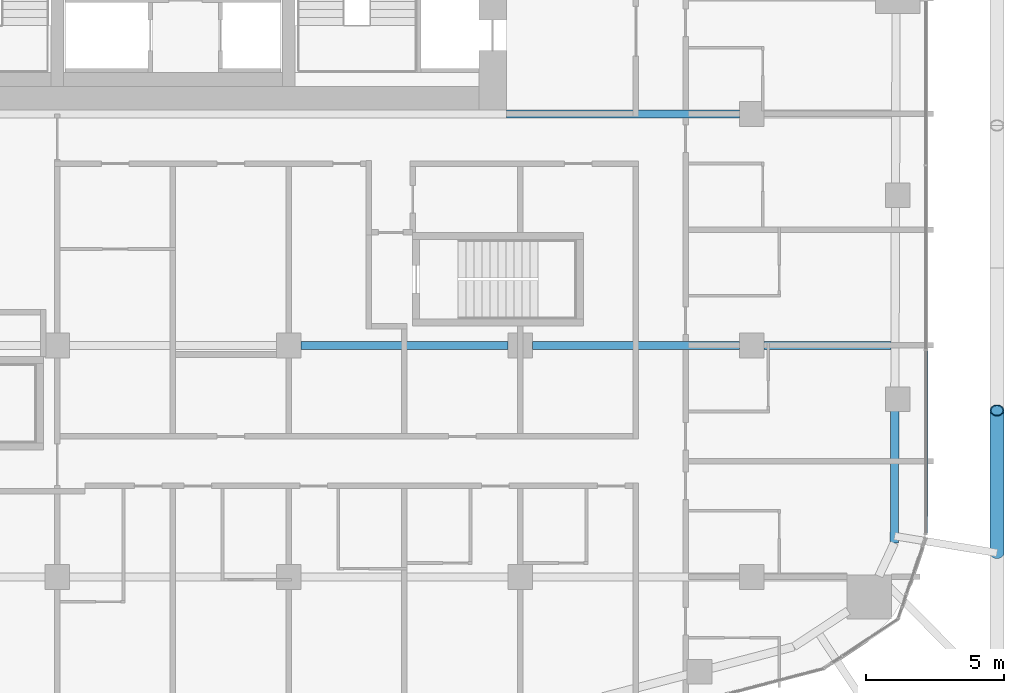
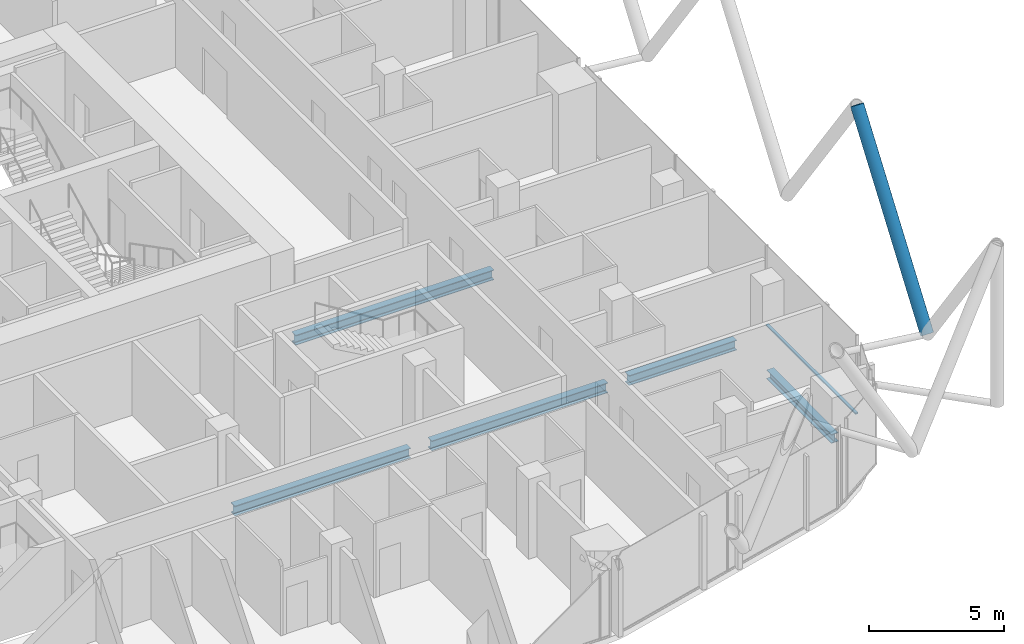
# One storey, part 7 of 36: 5 beams, 2 members, 1 element without a shape of its own.
"""IFC4 building model written with IfcOpenShell, lengths in metres."""

from ifc_helpers import new_model, si_unit, direction, frame, origin, origin_2d, place, context, subcontext, project, spatial, rectangle, hollow_circle, i_section, extrude, material, layer, layer_set, material_profile, profile_set, type_object, element, aggregate, save


model = new_model("IFC4")

# Units and contexts
model_context = context("Model", 3, precision=1e-05, world=origin(), true_north=direction((0.0, 1.0)))
body_context = subcontext(model_context, "Body", "Model", "MODEL_VIEW")
ifc_project = project(units=[si_unit("LENGTHUNIT", "METRE"), si_unit("AREAUNIT", "SQUARE_METRE"), si_unit("VOLUMEUNIT", "CUBIC_METRE"), si_unit("PLANEANGLEUNIT", "RADIAN"), si_unit("MASSUNIT", "GRAM", prefix="KILO")], contexts=[model_context])

# Site, building, storey
site_placement = place(None, origin())
site = spatial("IfcSite", under=ifc_project, at=site_placement, CompositionType="ELEMENT")
building_placement = place(site_placement, origin())
building = spatial("IfcBuilding", under=site, at=building_placement, Name="Marenta Gate Hotel Tower", CompositionType="ELEMENT")
storey_placement = place(building_placement, frame((0.0, 0.0, 144.5)))
storey = spatial("IfcBuildingStorey", under=building, at=storey_placement, Name="L33", CompositionType="ELEMENT", Elevation=144.5)

# Member
ifc_material_1 = material(Name="Steel S355J2W", Category="steel")
ifc_material_profile_1 = material_profile(ifc_material_1, hollow_circle(Radius=0.25390625, WallThickness=0.0400390625, at=origin_2d()), Name="CHS 508x40")
ifc_profile_set_1 = profile_set([ifc_material_profile_1], Name="Steel S355J2W")
member_type_1 = type_object("IfcMemberType", Name="Diagrid diagonal Z2 CHS 508x40", PredefinedType="BRACE", material=ifc_profile_set_1)
member_1_placement = place(storey_placement, frame((29.89990234375, -15.93017578125, 3.139892578125), z_axis=(0.0, 0.583265964901, 0.81228124082), x_axis=(-1.0, 0.0, 0.0)))
element("IfcMember", 1, at=member_1_placement, inside=storey, type_object=member_type_1, Name="L33-DG-9", PredefinedType="BRACE", context=body_context, shape_type="SweptSolid", body=[
    extrude(hollow_circle(Radius=0.25390625, WallThickness=0.0400390625, at=origin_2d()), origin(), (0.0, 0.0, 1.0), 8.8642578125),
])

# Beams
ifc_material_2 = material(Name="Steel S355", Category="steel")
ifc_material_profile_2 = material_profile(ifc_material_2, i_section(OverallWidth=0.300048828125, OverallDepth=0.39990234375, WebThickness=0.013427734375, FlangeThickness=0.02392578125, FilletRadius=0.027099609375, at=origin_2d()), Name="HEB 400")
ifc_profile_set_2 = profile_set([ifc_material_profile_2], Name="Steel S355")
beam_type_1 = type_object("IfcBeamType", Name="Edge beam HEB 400", PredefinedType="SPANDREL", material=ifc_profile_set_2)
beam_1_placement = place(storey_placement, frame((26.191162109375, -10.761962890625, -0.4599609375), z_axis=(-0.003353298899, -0.999994377677, 0.0), x_axis=(0.999994377677, -0.003353298899, 0.0)))
element("IfcBeam", 2, at=beam_1_placement, inside=storey, type_object=beam_type_1, Name="L33-EB-27", PredefinedType="SPANDREL", context=body_context, shape_type="SweptSolid", body=[
    extrude(i_section(OverallWidth=0.300048828125, OverallDepth=0.39990234375, WebThickness=0.013427734375, FlangeThickness=0.02392578125, FilletRadius=0.027099609375, at=origin_2d()), origin(), (0.0, 0.0, 1.0), 4.80517578125),
])
ifc_material_3 = material(Name="Steel S355", Category="steel")
ifc_material_profile_3 = material_profile(ifc_material_3, i_section(OverallWidth=0.300048828125, OverallDepth=0.449951171875, WebThickness=0.013916015625, FlangeThickness=0.02587890625, FilletRadius=0.027099609375, at=origin_2d()), Name="HEB 450")
ifc_profile_set_3 = profile_set([ifc_material_profile_3], Name="Steel S355")
beam_type_2 = type_object("IfcBeamType", Name="Girder HEB 450", PredefinedType="BEAM", material=ifc_profile_set_3)
for number, where, z_axis, x_axis, name in (
    (3, (4.64990234375, -8.39990234375, -0.485107421875), (1.0, 0.0, 0.0), (0.0, 1.0, 0.0), "L33-GD-12"),
    (4, (13.050048828125, -8.39990234375, -0.485107421875), (1.0, 0.0, 0.0), (0.0, 1.0, 0.0), "L33-GD-13"),
):
    element("IfcBeam", number, at=place(storey_placement, frame(where, z_axis=z_axis, x_axis=x_axis)), inside=storey, type_object=beam_type_2, Name=name, PredefinedType="BEAM", context=body_context, shape_type="SweptSolid", body=[
        extrude(i_section(OverallWidth=0.300048828125, OverallDepth=0.449951171875, WebThickness=0.013916015625, FlangeThickness=0.02587890625, FilletRadius=0.027099609375, at=origin_2d()), origin(), (0.0, 0.0, 1.0), 7.5),
    ])
beam_2_placement = place(storey_placement, frame((21.449951171875, -8.39990234375, -0.485107421875), z_axis=(1.0, 0.0, 0.0), x_axis=(0.0, 1.0, 0.0)))
element("IfcBeam", 5, at=beam_2_placement, inside=storey, type_object=beam_type_2, Name="L33-GD-14", PredefinedType="BEAM", context=body_context, shape_type="SweptSolid", body=[
    extrude(i_section(OverallWidth=0.300048828125, OverallDepth=0.449951171875, WebThickness=0.013916015625, FlangeThickness=0.02587890625, FilletRadius=0.027099609375, at=origin_2d()), origin(), (0.0, 0.0, 1.0), 4.59912109375),
])
beam_3_placement = place(storey_placement, frame((12.10009765625, 0.0, -0.485107421875), z_axis=(1.0, 0.0, 0.0), x_axis=(0.0, 1.0, 0.0)))
element("IfcBeam", 6, at=beam_3_placement, inside=storey, type_object=beam_type_2, Name="L33-GD-18", PredefinedType="BEAM", context=body_context, shape_type="SweptSolid", body=[
    extrude(i_section(OverallWidth=0.300048828125, OverallDepth=0.449951171875, WebThickness=0.013916015625, FlangeThickness=0.02587890625, FilletRadius=0.027099609375, at=origin_2d()), origin(), (0.0, 0.0, 1.0), 8.449951171875),
])

# Curtain wall, member
ifc_material_4 = material(Name="Tinted insulated glass in bronze anodised frame", Category="glass")
ifc_layer = layer(ifc_material_4, 0.1201171875)
ifc_layer_set = layer_set([ifc_layer], Name="Tinted insulated glass in bronze anodised frame")
curtain_wall_type = type_object("IfcCurtainWallType", Name="Tower unitised curtain wall CW1", PredefinedType="NOTDEFINED", material=ifc_layer_set)
curtain_wall_placement = place(storey_placement, origin())
curtain_wall = element("IfcCurtainWall", 7, at=curtain_wall_placement, inside=storey, type_object=curtain_wall_type, Name="CW1 run G33", PredefinedType="NOTDEFINED")
ifc_material_5 = material(Name="Bronze anodised aluminium", Category="aluminium")
ifc_material_profile_4 = material_profile(ifc_material_5, rectangle(XDim=0.1201171875, YDim=0.06005859375, at=origin_2d()), Name="Transom CW1 60x120 bronze anodised aluminium")
ifc_profile_set_4 = profile_set([ifc_material_profile_4], Name="Bronze anodised aluminium")
member_type_2 = type_object("IfcMemberType", Name="Transom CW1 60x120 bronze anodised aluminium", PredefinedType="USERDEFINED", material=ifc_profile_set_4)
member_2_placement = place(storey_placement, frame((27.31396484375, -15.21484375, 0.030029296875), z_axis=(0.0, 1.0, 0.0), x_axis=(-1.0, 0.0, 0.0)))
member_2 = element("IfcMember", 8, at=member_2_placement, type_object=member_type_2, Name="CW1 transom 1.1", ObjectType="TRANSOM", PredefinedType="USERDEFINED", context=body_context, shape_type="SweptSolid", body=[
    extrude(rectangle(XDim=0.1201171875, YDim=0.06005859375, at=origin_2d()), origin(), (0.0, 0.0, 1.0), 6.6171875),
])
aggregate(curtain_wall, [member_2])

save(model, "model.ifc")
